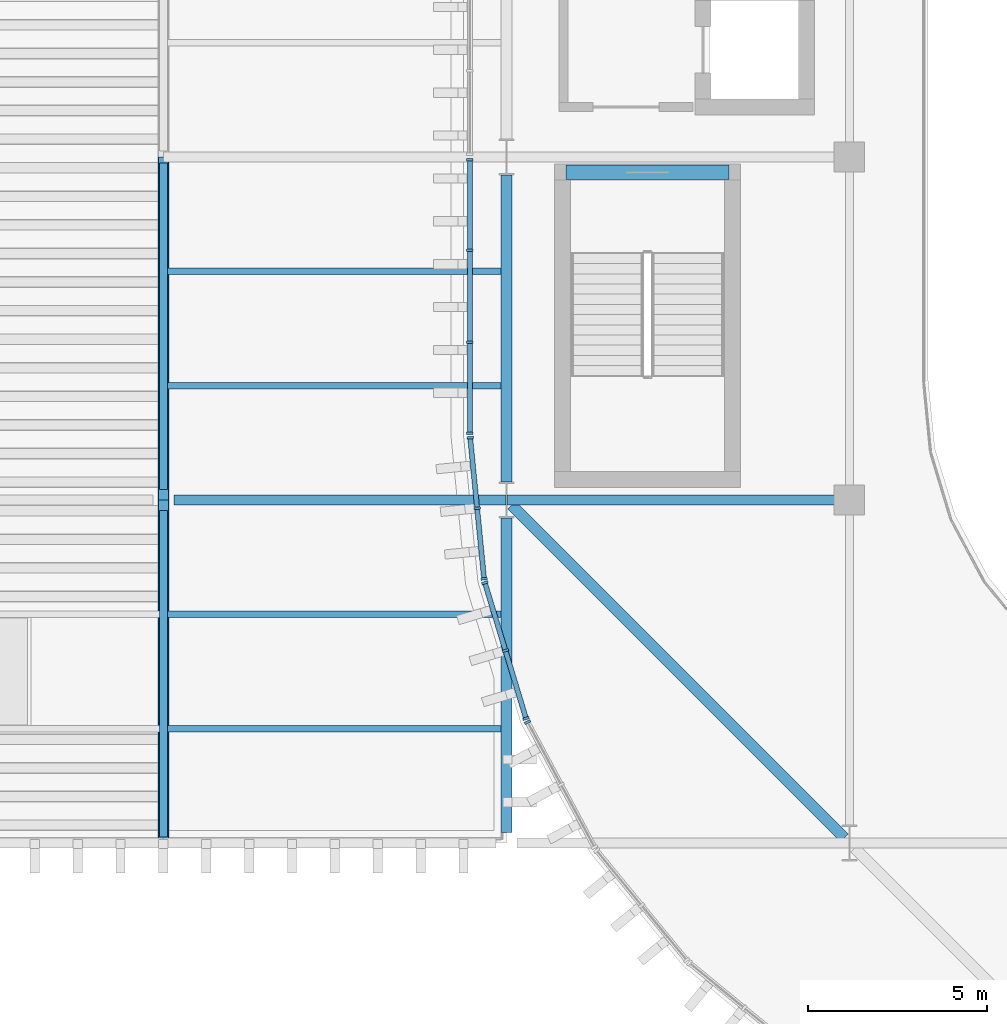
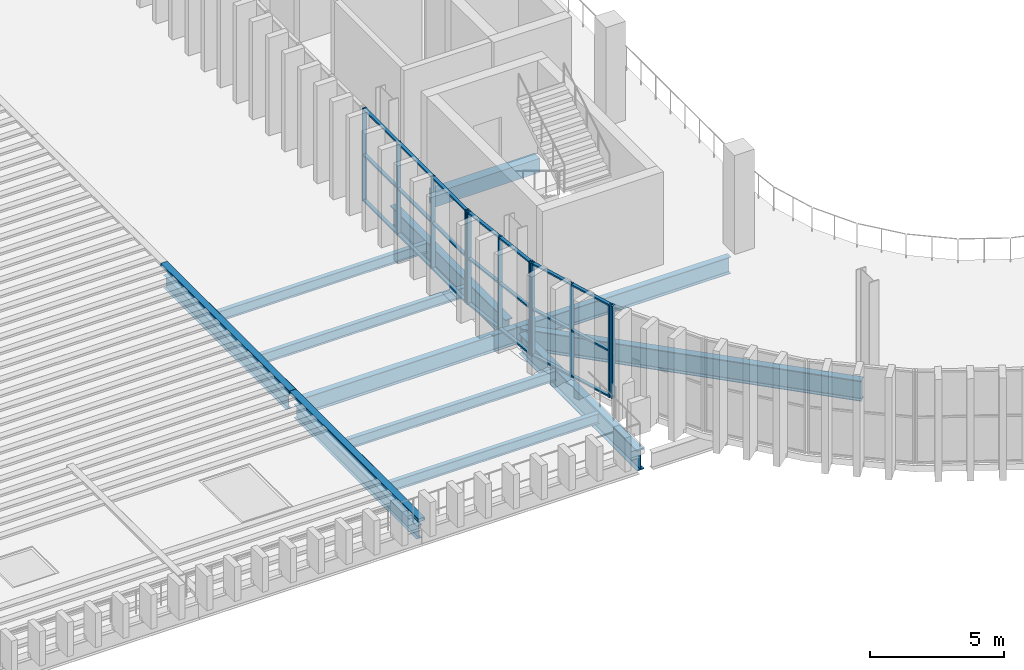
# One storey, part 9 of 92: 34 members, 12 beams, 4 elements without a shape of their own.
"""IFC4 building model written with IfcOpenShell, lengths in metres."""

from ifc_helpers import new_model, si_unit, direction, frame, origin, origin_2d, place, context, subcontext, project, spatial, rectangle, hollow_rectangle, i_section, extrude, material, layer, layer_set, material_profile, profile_set, type_object, element, aggregate, save


model = new_model("IFC4")

# Units and contexts
model_context = context("Model", 3, precision=1e-05, world=origin(), true_north=direction((0.0, 1.0)))
body_context = subcontext(model_context, "Body", "Model", "MODEL_VIEW")
ifc_project = project(units=[si_unit("LENGTHUNIT", "METRE"), si_unit("AREAUNIT", "SQUARE_METRE"), si_unit("VOLUMEUNIT", "CUBIC_METRE"), si_unit("PLANEANGLEUNIT", "RADIAN"), si_unit("MASSUNIT", "GRAM", prefix="KILO")], contexts=[model_context])

# Site, building, storey
site_placement = place(None, origin())
site = spatial("IfcSite", under=ifc_project, at=site_placement, CompositionType="ELEMENT")
building_placement = place(site_placement, origin())
building = spatial("IfcBuilding", under=site, at=building_placement, Name="Caelomonte Colonnade Arena", CompositionType="ELEMENT")
storey_placement = place(building_placement, frame((0.0, 0.0, 9.60009765625)))
storey = spatial("IfcBuildingStorey", under=building, at=storey_placement, Name="L02", CompositionType="ELEMENT", Elevation=9.60009765625)

# Curtain wall, members
ifc_material_1 = material(Name="Bronze anodised aluminium and low-E glazing", Category="aluminium")
ifc_layer_1 = layer(ifc_material_1, 0.179931640625)
ifc_layer_set_1 = layer_set([ifc_layer_1], Name="Bronze anodised aluminium and low-E glazing")
curtain_wall_type_1 = type_object("IfcCurtainWallType", Name="ENV-CW-CW-L02-79-42", PredefinedType="USERDEFINED", material=ifc_layer_set_1)
curtain_wall_1_placement = place(storey_placement, origin())
curtain_wall_1 = element("IfcCurtainWall", 1, at=curtain_wall_1_placement, inside=storey, type_object=curtain_wall_type_1, Name="L02 unitized curtain wall CW-L02-0566-0440", ObjectType="UNITIZED CURTAIN WALL", PredefinedType="USERDEFINED")
ifc_material_2 = material(Name="Bronze anodised aluminium AA6063-T6", Category="aluminium")
ifc_material_profile_1 = material_profile(ifc_material_2, rectangle(XDim=0.070068359375, YDim=0.179931640625, at=origin_2d()), Name="CWM-70X180")
ifc_profile_set_1 = profile_set([ifc_material_profile_1], Name="Bronze anodised aluminium AA6063-T6")
member_type_1 = type_object("IfcMemberType", Name="ENV-CW-MULL1", PredefinedType="MULLION", material=ifc_profile_set_1)
member_1_placement = place(storey_placement, frame((56.580078125, 47.925048828125, 0.0), z_axis=(0.0, 0.0, 1.0), x_axis=(0.0, -1.0, 0.0)))
member_1 = element("IfcMember", 2, at=member_1_placement, type_object=member_type_1, Name="CW-L02-79-42 mullion 1", PredefinedType="MULLION", context=body_context, shape_type="SweptSolid", body=[
    extrude(rectangle(XDim=0.070068359375, YDim=0.179931640625, at=origin_2d()), origin(), (0.0, 0.0, 1.0), 4.219970703125),
])
member_2_placement = place(storey_placement, frame((56.580078125, 45.38671875, 0.0), z_axis=(0.0, 0.0, 1.0), x_axis=(0.0, -1.0, 0.0)))
member_2 = element("IfcMember", 3, at=member_2_placement, type_object=member_type_1, Name="CW-L02-79-42 mullion 2", PredefinedType="MULLION", context=body_context, shape_type="SweptSolid", body=[
    extrude(rectangle(XDim=0.070068359375, YDim=0.179931640625, at=origin_2d()), origin(), (0.0, 0.0, 1.0), 4.219970703125),
])
member_3_placement = place(storey_placement, frame((56.580078125, 42.813232421875, 0.0), z_axis=(0.0, 0.0, 1.0), x_axis=(0.0, -1.0, 0.0)))
member_3 = element("IfcMember", 4, at=member_3_placement, type_object=member_type_1, Name="CW-L02-79-42 mullion 3", PredefinedType="MULLION", context=body_context, shape_type="SweptSolid", body=[
    extrude(rectangle(XDim=0.070068359375, YDim=0.179931640625, at=origin_2d()), origin(), (0.0, 0.0, 1.0), 4.219970703125),
])
member_4_placement = place(storey_placement, frame((56.580078125, 40.27490234375, 0.0), z_axis=(0.0, 0.0, 1.0), x_axis=(0.0, -1.0, 0.0)))
member_4 = element("IfcMember", 5, at=member_4_placement, type_object=member_type_1, Name="CW-L02-79-42 mullion 4", PredefinedType="MULLION", context=body_context, shape_type="SweptSolid", body=[
    extrude(rectangle(XDim=0.070068359375, YDim=0.179931640625, at=origin_2d()), origin(), (0.0, 0.0, 1.0), 4.219970703125),
])

ifc_layer_2 = layer(ifc_material_1, 0.179931640625)
ifc_layer_set_2 = layer_set([ifc_layer_2], Name="Bronze anodised aluminium and low-E glazing")
curtain_wall_type_2 = type_object("IfcCurtainWallType", Name="ENV-CW-CW-L02-44-42", PredefinedType="USERDEFINED", material=ifc_layer_set_2)
curtain_wall_2_placement = place(storey_placement, origin())
curtain_wall_2 = element("IfcCurtainWall", 6, at=curtain_wall_2_placement, inside=storey, type_object=curtain_wall_type_2, Name="L02 unitized curtain wall CW-L02-0568-0382", ObjectType="UNITIZED CURTAIN WALL", PredefinedType="USERDEFINED")
member_5_placement = place(storey_placement, frame((56.58642578125, 40.14306640625, 0.0), z_axis=(0.0, 0.0, 1.0), x_axis=(0.098002498041, -0.995186168703, 0.0)))
member_5 = element("IfcMember", 7, at=member_5_placement, type_object=member_type_1, Name="CW-L02-44-42 mullion 1", PredefinedType="MULLION", context=body_context, shape_type="SweptSolid", body=[
    extrude(rectangle(XDim=0.070068359375, YDim=0.179931640625, at=origin_2d()), origin(), (0.0, 0.0, 1.0), 4.219970703125),
])
member_6_placement = place(storey_placement, frame((56.781005859375, 38.169189453125, 0.0), z_axis=(0.0, 0.0, 1.0), x_axis=(0.098002498041, -0.995186168703, 0.0)))
member_6 = element("IfcMember", 8, at=member_6_placement, type_object=member_type_1, Name="CW-L02-44-42 mullion 2", PredefinedType="MULLION", context=body_context, shape_type="SweptSolid", body=[
    extrude(rectangle(XDim=0.070068359375, YDim=0.179931640625, at=origin_2d()), origin(), (0.0, 0.0, 1.0), 4.219970703125),
])
member_7_placement = place(storey_placement, frame((56.975341796875, 36.1953125, 0.0), z_axis=(0.0, 0.0, 1.0), x_axis=(0.098002498041, -0.995186168703, 0.0)))
member_7 = element("IfcMember", 9, at=member_7_placement, type_object=member_type_1, Name="CW-L02-44-42 mullion 3", PredefinedType="MULLION", context=body_context, shape_type="SweptSolid", body=[
    extrude(rectangle(XDim=0.070068359375, YDim=0.179931640625, at=origin_2d()), origin(), (0.0, 0.0, 1.0), 4.219970703125),
])

curtain_wall_3_placement = place(storey_placement, origin())
curtain_wall_3 = element("IfcCurtainWall", 10, at=curtain_wall_3_placement, inside=storey, type_object=curtain_wall_type_2, Name="L02 unitized curtain wall CW-L02-0576-0342", ObjectType="UNITIZED CURTAIN WALL", PredefinedType="USERDEFINED")
member_8_placement = place(storey_placement, frame((56.99755859375, 36.08349609375, 0.0), z_axis=(0.0, 0.0, 1.0), x_axis=(0.290255582655, -0.956949160999, 0.0)))
member_8 = element("IfcMember", 11, at=member_8_placement, type_object=member_type_1, Name="CW-L02-44-42 mullion 1", PredefinedType="MULLION", context=body_context, shape_type="SweptSolid", body=[
    extrude(rectangle(XDim=0.070068359375, YDim=0.179931640625, at=origin_2d()), origin(), (0.0, 0.0, 1.0), 4.219970703125),
])
member_9_placement = place(storey_placement, frame((57.5732421875, 34.185546875, 0.0), z_axis=(0.0, 0.0, 1.0), x_axis=(0.290255582655, -0.956949160999, 0.0)))
member_9 = element("IfcMember", 12, at=member_9_placement, type_object=member_type_1, Name="CW-L02-44-42 mullion 2", PredefinedType="MULLION", context=body_context, shape_type="SweptSolid", body=[
    extrude(rectangle(XDim=0.070068359375, YDim=0.179931640625, at=origin_2d()), origin(), (0.0, 0.0, 1.0), 4.219970703125),
])
member_10_placement = place(storey_placement, frame((58.14892578125, 32.28759765625, 0.0), z_axis=(0.0, 0.0, 1.0), x_axis=(0.290255582655, -0.956949160999, 0.0)))
member_10 = element("IfcMember", 13, at=member_10_placement, type_object=member_type_1, Name="CW-L02-44-42 mullion 3", PredefinedType="MULLION", context=body_context, shape_type="SweptSolid", body=[
    extrude(rectangle(XDim=0.070068359375, YDim=0.179931640625, at=origin_2d()), origin(), (0.0, 0.0, 1.0), 4.219970703125),
])

# Curtain wall, member
curtain_wall_4_placement = place(storey_placement, origin())
curtain_wall_4 = element("IfcCurtainWall", 14, at=curtain_wall_4_placement, inside=storey, type_object=curtain_wall_type_2, Name="L02 unitized curtain wall CW-L02-0591-0304", ObjectType="UNITIZED CURTAIN WALL", PredefinedType="USERDEFINED")
member_11_placement = place(storey_placement, frame((58.192626953125, 32.182373046875, 0.0), z_axis=(0.0, 0.0, 1.0), x_axis=(0.471394212466, -0.881922613642, 0.0)))
member_11 = element("IfcMember", 15, at=member_11_placement, type_object=member_type_1, Name="CW-L02-44-42 mullion 1", PredefinedType="MULLION", context=body_context, shape_type="SweptSolid", body=[
    extrude(rectangle(XDim=0.070068359375, YDim=0.179931640625, at=origin_2d()), origin(), (0.0, 0.0, 1.0), 4.219970703125),
])
aggregate(curtain_wall_4, [member_11])

# Member
ifc_material_profile_2 = material_profile(ifc_material_2, rectangle(XDim=0.070068359375, YDim=0.139892578125, at=origin_2d()), Name="CWT-70X140")
ifc_profile_set_2 = profile_set([ifc_material_profile_2], Name="Bronze anodised aluminium AA6063-T6")
member_type_2 = type_object("IfcMemberType", Name="ENV-CW-TRAN1", PredefinedType="USERDEFINED", material=ifc_profile_set_2)
member_12_placement = place(storey_placement, frame((56.580078125, 47.889892578125, 0.034912109375), z_axis=(0.0, -1.0, 0.0), x_axis=(0.0, 0.0, 1.0)))
member_12 = element("IfcMember", 16, at=member_12_placement, type_object=member_type_2, Name="CW-L02-79-42 transom 1.1", ObjectType="TRANSOM", PredefinedType="USERDEFINED", context=body_context, shape_type="SweptSolid", body=[
    extrude(rectangle(XDim=0.070068359375, YDim=0.139892578125, at=origin_2d()), origin(), (0.0, 0.0, 1.0), 2.46826171875),
])

member_13_placement = place(storey_placement, frame((56.580078125, 47.889892578125, 2.10986328125), z_axis=(0.0, -1.0, 0.0), x_axis=(0.0, 0.0, 1.0)))
member_13 = element("IfcMember", 17, at=member_13_placement, type_object=member_type_2, Name="CW-L02-79-42 transom 1.2", ObjectType="TRANSOM", PredefinedType="USERDEFINED", context=body_context, shape_type="SweptSolid", body=[
    extrude(rectangle(XDim=0.070068359375, YDim=0.139892578125, at=origin_2d()), origin(), (0.0, 0.0, 1.0), 2.46826171875),
])

member_14_placement = place(storey_placement, frame((56.580078125, 47.889892578125, 4.184814453125), z_axis=(0.0, -1.0, 0.0), x_axis=(0.0, 0.0, 1.0)))
member_14 = element("IfcMember", 18, at=member_14_placement, type_object=member_type_2, Name="CW-L02-79-42 transom 1.3", ObjectType="TRANSOM", PredefinedType="USERDEFINED", context=body_context, shape_type="SweptSolid", body=[
    extrude(rectangle(XDim=0.070068359375, YDim=0.139892578125, at=origin_2d()), origin(), (0.0, 0.0, 1.0), 2.46826171875),
])

member_15_placement = place(storey_placement, frame((56.580078125, 45.3515625, 0.034912109375), z_axis=(0.0, -1.0, 0.0), x_axis=(0.0, 0.0, 1.0)))
member_15 = element("IfcMember", 19, at=member_15_placement, type_object=member_type_2, Name="CW-L02-79-42 transom 2.1", ObjectType="TRANSOM", PredefinedType="USERDEFINED", context=body_context, shape_type="SweptSolid", body=[
    extrude(rectangle(XDim=0.070068359375, YDim=0.139892578125, at=origin_2d()), origin(), (0.0, 0.0, 1.0), 2.503173828125),
])

member_16_placement = place(storey_placement, frame((56.580078125, 45.3515625, 2.10986328125), z_axis=(0.0, -1.0, 0.0), x_axis=(0.0, 0.0, 1.0)))
member_16 = element("IfcMember", 20, at=member_16_placement, type_object=member_type_2, Name="CW-L02-79-42 transom 2.2", ObjectType="TRANSOM", PredefinedType="USERDEFINED", context=body_context, shape_type="SweptSolid", body=[
    extrude(rectangle(XDim=0.070068359375, YDim=0.139892578125, at=origin_2d()), origin(), (0.0, 0.0, 1.0), 2.503173828125),
])

member_17_placement = place(storey_placement, frame((56.580078125, 45.3515625, 4.184814453125), z_axis=(0.0, -1.0, 0.0), x_axis=(0.0, 0.0, 1.0)))
member_17 = element("IfcMember", 21, at=member_17_placement, type_object=member_type_2, Name="CW-L02-79-42 transom 2.3", ObjectType="TRANSOM", PredefinedType="USERDEFINED", context=body_context, shape_type="SweptSolid", body=[
    extrude(rectangle(XDim=0.070068359375, YDim=0.139892578125, at=origin_2d()), origin(), (0.0, 0.0, 1.0), 2.503173828125),
])

member_18_placement = place(storey_placement, frame((56.580078125, 42.7783203125, 0.034912109375), z_axis=(0.0, -1.0, 0.0), x_axis=(0.0, 0.0, 1.0)))
member_18 = element("IfcMember", 22, at=member_18_placement, type_object=member_type_2, Name="CW-L02-79-42 transom 3.1", ObjectType="TRANSOM", PredefinedType="USERDEFINED", context=body_context, shape_type="SweptSolid", body=[
    extrude(rectangle(XDim=0.070068359375, YDim=0.139892578125, at=origin_2d()), origin(), (0.0, 0.0, 1.0), 2.46826171875),
])

member_19_placement = place(storey_placement, frame((56.580078125, 42.7783203125, 2.10986328125), z_axis=(0.0, -1.0, 0.0), x_axis=(0.0, 0.0, 1.0)))
member_19 = element("IfcMember", 23, at=member_19_placement, type_object=member_type_2, Name="CW-L02-79-42 transom 3.2", ObjectType="TRANSOM", PredefinedType="USERDEFINED", context=body_context, shape_type="SweptSolid", body=[
    extrude(rectangle(XDim=0.070068359375, YDim=0.139892578125, at=origin_2d()), origin(), (0.0, 0.0, 1.0), 2.46826171875),
])

member_20_placement = place(storey_placement, frame((56.580078125, 42.7783203125, 4.184814453125), z_axis=(0.0, -1.0, 0.0), x_axis=(0.0, 0.0, 1.0)))
member_20 = element("IfcMember", 24, at=member_20_placement, type_object=member_type_2, Name="CW-L02-79-42 transom 3.3", ObjectType="TRANSOM", PredefinedType="USERDEFINED", context=body_context, shape_type="SweptSolid", body=[
    extrude(rectangle(XDim=0.070068359375, YDim=0.139892578125, at=origin_2d()), origin(), (0.0, 0.0, 1.0), 2.46826171875),
])

aggregate(curtain_wall_1, [member_1, member_2, member_3, member_4, member_12, member_13, member_14, member_15, member_16, member_17, member_18, member_19, member_20])

member_21_placement = place(storey_placement, frame((56.58984375, 40.108154296875, 0.034912109375), z_axis=(0.098126524604, -0.995173947192, 0.0), x_axis=(0.0, 0.0, 1.0)))
member_21 = element("IfcMember", 25, at=member_21_placement, type_object=member_type_2, Name="CW-L02-44-42 transom 1.1", ObjectType="TRANSOM", PredefinedType="USERDEFINED", context=body_context, shape_type="SweptSolid", body=[
    extrude(rectangle(XDim=0.070068359375, YDim=0.139892578125, at=origin_2d()), origin(), (0.0, 0.0, 1.0), 1.913330078125),
])

member_22_placement = place(storey_placement, frame((56.58984375, 40.108154296875, 2.10986328125), z_axis=(0.098126524604, -0.995173947192, 0.0), x_axis=(0.0, 0.0, 1.0)))
member_22 = element("IfcMember", 26, at=member_22_placement, type_object=member_type_2, Name="CW-L02-44-42 transom 1.2", ObjectType="TRANSOM", PredefinedType="USERDEFINED", context=body_context, shape_type="SweptSolid", body=[
    extrude(rectangle(XDim=0.070068359375, YDim=0.139892578125, at=origin_2d()), origin(), (0.0, 0.0, 1.0), 1.913330078125),
])

member_23_placement = place(storey_placement, frame((56.58984375, 40.108154296875, 4.184814453125), z_axis=(0.098126524604, -0.995173947192, 0.0), x_axis=(0.0, 0.0, 1.0)))
member_23 = element("IfcMember", 27, at=member_23_placement, type_object=member_type_2, Name="CW-L02-44-42 transom 1.3", ObjectType="TRANSOM", PredefinedType="USERDEFINED", context=body_context, shape_type="SweptSolid", body=[
    extrude(rectangle(XDim=0.070068359375, YDim=0.139892578125, at=origin_2d()), origin(), (0.0, 0.0, 1.0), 1.913330078125),
])

member_24_placement = place(storey_placement, frame((56.784423828125, 38.13427734375, 0.034912109375), z_axis=(0.098000148132, -0.995186400111, 0.0), x_axis=(0.0, 0.0, 1.0)))
member_24 = element("IfcMember", 28, at=member_24_placement, type_object=member_type_2, Name="CW-L02-44-42 transom 2.1", ObjectType="TRANSOM", PredefinedType="USERDEFINED", context=body_context, shape_type="SweptSolid", body=[
    extrude(rectangle(XDim=0.070068359375, YDim=0.139892578125, at=origin_2d()), origin(), (0.0, 0.0, 1.0), 1.913330078125),
])

member_25_placement = place(storey_placement, frame((56.784423828125, 38.13427734375, 2.10986328125), z_axis=(0.098000148132, -0.995186400111, 0.0), x_axis=(0.0, 0.0, 1.0)))
member_25 = element("IfcMember", 29, at=member_25_placement, type_object=member_type_2, Name="CW-L02-44-42 transom 2.2", ObjectType="TRANSOM", PredefinedType="USERDEFINED", context=body_context, shape_type="SweptSolid", body=[
    extrude(rectangle(XDim=0.070068359375, YDim=0.139892578125, at=origin_2d()), origin(), (0.0, 0.0, 1.0), 1.913330078125),
])

member_26_placement = place(storey_placement, frame((56.784423828125, 38.13427734375, 4.184814453125), z_axis=(0.098000148132, -0.995186400111, 0.0), x_axis=(0.0, 0.0, 1.0)))
member_26 = element("IfcMember", 30, at=member_26_placement, type_object=member_type_2, Name="CW-L02-44-42 transom 2.3", ObjectType="TRANSOM", PredefinedType="USERDEFINED", context=body_context, shape_type="SweptSolid", body=[
    extrude(rectangle(XDim=0.070068359375, YDim=0.139892578125, at=origin_2d()), origin(), (0.0, 0.0, 1.0), 1.913330078125),
])

aggregate(curtain_wall_2, [member_5, member_6, member_7, member_21, member_22, member_23, member_24, member_25, member_26])

member_27_placement = place(storey_placement, frame((57.0078125, 36.050048828125, 0.034912109375), z_axis=(0.29015613003, -0.956979320678, 0.0), x_axis=(0.0, 0.0, 1.0)))
member_27 = element("IfcMember", 31, at=member_27_placement, type_object=member_type_2, Name="CW-L02-44-42 transom 1.1", ObjectType="TRANSOM", PredefinedType="USERDEFINED", context=body_context, shape_type="SweptSolid", body=[
    extrude(rectangle(XDim=0.070068359375, YDim=0.139892578125, at=origin_2d()), origin(), (0.0, 0.0, 1.0), 1.913330078125),
])

member_28_placement = place(storey_placement, frame((57.0078125, 36.050048828125, 2.10986328125), z_axis=(0.29015613003, -0.956979320678, 0.0), x_axis=(0.0, 0.0, 1.0)))
member_28 = element("IfcMember", 32, at=member_28_placement, type_object=member_type_2, Name="CW-L02-44-42 transom 1.2", ObjectType="TRANSOM", PredefinedType="USERDEFINED", context=body_context, shape_type="SweptSolid", body=[
    extrude(rectangle(XDim=0.070068359375, YDim=0.139892578125, at=origin_2d()), origin(), (0.0, 0.0, 1.0), 1.913330078125),
])

member_29_placement = place(storey_placement, frame((57.0078125, 36.050048828125, 4.184814453125), z_axis=(0.29015613003, -0.956979320678, 0.0), x_axis=(0.0, 0.0, 1.0)))
member_29 = element("IfcMember", 33, at=member_29_placement, type_object=member_type_2, Name="CW-L02-44-42 transom 1.3", ObjectType="TRANSOM", PredefinedType="USERDEFINED", context=body_context, shape_type="SweptSolid", body=[
    extrude(rectangle(XDim=0.070068359375, YDim=0.139892578125, at=origin_2d()), origin(), (0.0, 0.0, 1.0), 1.913330078125),
])

member_30_placement = place(storey_placement, frame((57.58349609375, 34.152099609375, 0.034912109375), z_axis=(0.29015613003, -0.956979320678, 0.0), x_axis=(0.0, 0.0, 1.0)))
member_30 = element("IfcMember", 34, at=member_30_placement, type_object=member_type_2, Name="CW-L02-44-42 transom 2.1", ObjectType="TRANSOM", PredefinedType="USERDEFINED", context=body_context, shape_type="SweptSolid", body=[
    extrude(rectangle(XDim=0.070068359375, YDim=0.139892578125, at=origin_2d()), origin(), (0.0, 0.0, 1.0), 1.913330078125),
])

member_31_placement = place(storey_placement, frame((57.58349609375, 34.152099609375, 2.10986328125), z_axis=(0.29015613003, -0.956979320678, 0.0), x_axis=(0.0, 0.0, 1.0)))
member_31 = element("IfcMember", 35, at=member_31_placement, type_object=member_type_2, Name="CW-L02-44-42 transom 2.2", ObjectType="TRANSOM", PredefinedType="USERDEFINED", context=body_context, shape_type="SweptSolid", body=[
    extrude(rectangle(XDim=0.070068359375, YDim=0.139892578125, at=origin_2d()), origin(), (0.0, 0.0, 1.0), 1.913330078125),
])

member_32_placement = place(storey_placement, frame((57.58349609375, 34.152099609375, 4.184814453125), z_axis=(0.29015613003, -0.956979320678, 0.0), x_axis=(0.0, 0.0, 1.0)))
member_32 = element("IfcMember", 36, at=member_32_placement, type_object=member_type_2, Name="CW-L02-44-42 transom 2.3", ObjectType="TRANSOM", PredefinedType="USERDEFINED", context=body_context, shape_type="SweptSolid", body=[
    extrude(rectangle(XDim=0.070068359375, YDim=0.139892578125, at=origin_2d()), origin(), (0.0, 0.0, 1.0), 1.913330078125),
])

aggregate(curtain_wall_3, [member_8, member_9, member_10, member_27, member_28, member_29, member_30, member_31, member_32])

# Beams
ifc_material_3 = material(Name="Wide-flange steel ASTM A992 Grade 50", Category="steel")
ifc_material_profile_3 = material_profile(ifc_material_3, i_section(OverallWidth=0.307861328125, OverallDepth=0.927001953125, WebThickness=0.019287109375, FlangeThickness=0.031982421875, FilletRadius=0.020263671875, at=origin_2d()), Name="W36X194")
ifc_profile_set_3 = profile_set([ifc_material_profile_3], Name="Wide-flange steel ASTM A992 Grade 50")
beam_type_1 = type_object("IfcBeamType", Name="STR-BM-EAVES2", PredefinedType="SPANDREL", material=ifc_profile_set_3)
beam_1_placement = place(storey_placement, frame((57.60009765625, 29.092041015625, -0.74365234375), z_axis=(0.0, 1.0, 0.0), x_axis=(-1.0, 0.0, 0.0)))
element("IfcBeam", 37, at=beam_1_placement, inside=storey, type_object=beam_type_1, Name="L02 girder BMY-L02-0576-0288", PredefinedType="SPANDREL", context=body_context, shape_type="SweptSolid", body=[
    extrude(i_section(OverallWidth=0.307861328125, OverallDepth=0.927001953125, WebThickness=0.019287109375, FlangeThickness=0.031982421875, FilletRadius=0.020263671875, at=origin_2d()), origin(), (0.0, 0.0, 1.0), 8.810546875),
])
beam_2_placement = place(storey_placement, frame((57.60009765625, 38.8974609375, -0.74365234375), z_axis=(0.0, 1.0, 0.0), x_axis=(-1.0, 0.0, 0.0)))
element("IfcBeam", 38, at=beam_2_placement, inside=storey, type_object=beam_type_1, Name="L02 girder BMY-L02-0576-0384", PredefinedType="SPANDREL", context=body_context, shape_type="SweptSolid", body=[
    extrude(i_section(OverallWidth=0.307861328125, OverallDepth=0.927001953125, WebThickness=0.019287109375, FlangeThickness=0.031982421875, FilletRadius=0.020263671875, at=origin_2d()), origin(), (0.0, 0.0, 1.0), 8.60498046875),
])
beam_3_placement = place(storey_placement, frame((57.742431640625, 38.257568359375, -0.74365234375), z_axis=(0.707106781187, -0.707106781187, 0.0), x_axis=(0.707106781187, 0.707106781187, 0.0)))
element("IfcBeam", 39, at=beam_3_placement, inside=storey, type_object=beam_type_1, Name="L02 drum corner ring girder 1", PredefinedType="SPANDREL", context=body_context, shape_type="SweptSolid", body=[
    extrude(i_section(OverallWidth=0.307861328125, OverallDepth=0.927001953125, WebThickness=0.019287109375, FlangeThickness=0.031982421875, FilletRadius=0.020263671875, at=origin_2d()), origin(), (0.0, 0.0, 1.0), 13.173583984375),
])
ifc_material_profile_4 = material_profile(ifc_material_3, i_section(OverallWidth=0.228271484375, OverallDepth=0.607177734375, WebThickness=0.01123046875, FlangeThickness=0.017333984375, FilletRadius=0.0126953125, at=origin_2d()), Name="W24X76")
ifc_profile_set_4 = profile_set([ifc_material_profile_4], Name="Wide-flange steel ASTM A992 Grade 50")
beam_type_2 = type_object("IfcBeamType", Name="STR-BM-GIRD24", PredefinedType="BEAM", material=ifc_profile_set_4)
beam_4_placement = place(storey_placement, frame((48.0, 28.97021484375, -0.58349609375), z_axis=(0.0, 1.0, 0.0), x_axis=(-1.0, 0.0, 0.0)))
element("IfcBeam", 40, at=beam_4_placement, inside=storey, type_object=beam_type_2, Name="L02 girder BMY-L02-0480-0288", PredefinedType="BEAM", context=body_context, shape_type="SweptSolid", body=[
    extrude(i_section(OverallWidth=0.228271484375, OverallDepth=0.607177734375, WebThickness=0.01123046875, FlangeThickness=0.017333984375, FilletRadius=0.0126953125, at=origin_2d()), origin(), (0.0, 0.0, 1.0), 9.1376953125),
])
beam_5_placement = place(storey_placement, frame((48.0, 38.69189453125, -0.58349609375), z_axis=(0.0, 1.0, 0.0), x_axis=(-1.0, 0.0, 0.0)))
element("IfcBeam", 41, at=beam_5_placement, inside=storey, type_object=beam_type_2, Name="L02 girder BMY-L02-0480-0384", PredefinedType="BEAM", context=body_context, shape_type="SweptSolid", body=[
    extrude(i_section(OverallWidth=0.228271484375, OverallDepth=0.607177734375, WebThickness=0.01123046875, FlangeThickness=0.017333984375, FilletRadius=0.0126953125, at=origin_2d()), origin(), (0.0, 0.0, 1.0), 9.137939453125),
])
ifc_material_profile_5 = material_profile(ifc_material_3, i_section(OverallWidth=0.2666015625, OverallDepth=0.761962890625, WebThickness=0.014404296875, FlangeThickness=0.021484375, FilletRadius=0.0166015625, at=origin_2d()), Name="W30X116")
ifc_profile_set_5 = profile_set([ifc_material_profile_5], Name="Wide-flange steel ASTM A992 Grade 50")
beam_type_3 = type_object("IfcBeamType", Name="STR-BM-GIRD30", PredefinedType="BEAM", material=ifc_profile_set_5)
beam_6_placement = place(storey_placement, frame((48.2919921875, 38.39990234375, -0.6611328125), z_axis=(1.0, 0.0, 0.0), x_axis=(0.0, 1.0, 0.0)))
element("IfcBeam", 42, at=beam_6_placement, inside=storey, type_object=beam_type_3, Name="L02 girder BMX-L02-0480-0384", PredefinedType="BEAM", context=body_context, shape_type="SweptSolid", body=[
    extrude(i_section(OverallWidth=0.2666015625, OverallDepth=0.761962890625, WebThickness=0.014404296875, FlangeThickness=0.021484375, FilletRadius=0.0166015625, at=origin_2d()), origin(), (0.0, 0.0, 1.0), 9.296142578125),
])
beam_7_placement = place(storey_placement, frame((57.61181640625, 38.39990234375, -0.6611328125), z_axis=(1.0, 0.0, 0.0), x_axis=(0.0, 1.0, 0.0)))
element("IfcBeam", 43, at=beam_7_placement, inside=storey, type_object=beam_type_3, Name="L02 girder BMX-L02-0576-0384", PredefinedType="BEAM", context=body_context, shape_type="SweptSolid", body=[
    extrude(i_section(OverallWidth=0.2666015625, OverallDepth=0.761962890625, WebThickness=0.014404296875, FlangeThickness=0.021484375, FilletRadius=0.0166015625, at=origin_2d()), origin(), (0.0, 0.0, 1.0), 9.171142578125),
])
ifc_material_profile_6 = material_profile(ifc_material_3, i_section(OverallWidth=0.1904296875, OverallDepth=0.457275390625, WebThickness=0.009033203125, FlangeThickness=0.014404296875, FilletRadius=0.01025390625, at=origin_2d()), Name="W18X50")
ifc_profile_set_6 = profile_set([ifc_material_profile_6], Name="Wide-flange steel ASTM A992 Grade 50")
beam_type_4 = type_object("IfcBeamType", Name="STR-BM-JOIST18", PredefinedType="JOIST", material=ifc_profile_set_6)
for number, where, z_axis, x_axis, name in (
    (44, (48.109130859375, 32.0, -0.5087890625), (1.0, 0.0, 0.0), (0.0, 1.0, 0.0), "L02 secondary joist 1"),
    (45, (48.109130859375, 35.199951171875, -0.5087890625), (1.0, 0.0, 0.0), (0.0, 1.0, 0.0), "L02 secondary joist 2"),
    (46, (48.109130859375, 41.60009765625, -0.5087890625), (1.0, 0.0, 0.0), (0.0, 1.0, 0.0), "L02 secondary joist 1"),
    (47, (48.109130859375, 44.800048828125, -0.5087890625), (1.0, 0.0, 0.0), (0.0, 1.0, 0.0), "L02 secondary joist 2"),
):
    element("IfcBeam", number, at=place(storey_placement, frame(where, z_axis=z_axis, x_axis=x_axis)), inside=storey, type_object=beam_type_4, Name=name, PredefinedType="JOIST", context=body_context, shape_type="SweptSolid", body=[
        extrude(i_section(OverallWidth=0.1904296875, OverallDepth=0.457275390625, WebThickness=0.009033203125, FlangeThickness=0.014404296875, FilletRadius=0.01025390625, at=origin_2d()), origin(), (0.0, 0.0, 1.0), 9.342041015625),
    ])
ifc_material_4 = material(Name="Concrete C40/50", Category="concrete")
ifc_material_profile_7 = material_profile(ifc_material_4, rectangle(XDim=0.39990234375, YDim=0.64990234375, at=origin_2d()), Name="RC400X650")
ifc_profile_set_7 = profile_set([ifc_material_profile_7], Name="Concrete C40/50")
beam_type_5 = type_object("IfcBeamType", Name="STR-BM-LINT40", PredefinedType="LINTEL", material=ifc_profile_set_7)
beam_8_placement = place(storey_placement, frame((59.27490234375, 47.574951171875, -0.60498046875), z_axis=(1.0, 0.0, 0.0), x_axis=(0.0, 1.0, 0.0)))
element("IfcBeam", 48, at=beam_8_placement, inside=storey, type_object=beam_type_5, Name="Core C1 L02 coupling lintel beam", PredefinedType="LINTEL", context=body_context, shape_type="SweptSolid", body=[
    extrude(rectangle(XDim=0.39990234375, YDim=0.64990234375, at=origin_2d()), origin(), (0.0, 0.0, 1.0), 4.550048828125),
])

# Members
ifc_material_5 = material(Name="Steel ASTM A500 Grade C", Category="steel")
ifc_material_profile_8 = material_profile(ifc_material_5, hollow_rectangle(XDim=0.300048828125, YDim=0.14990234375, WallThickness=0.008056640625, InnerFilletRadius=0.008056640625, OuterFilletRadius=0.01611328125, at=origin_2d()), Name="HSS300X150X8")
ifc_profile_set_8 = profile_set([ifc_material_profile_8], Name="Steel ASTM A500 Grade C")
member_type_3 = type_object("IfcMemberType", Name="STR-LW-PAR1", PredefinedType="STRUT", material=ifc_profile_set_8)
for number, where, z_axis, x_axis, name in (
    (49, (48.0, 28.803955078125, 0.074951171875), (0.0, 1.0, 0.0), (-1.0, 0.0, 0.0), "Planted lawn parterre planter header HDR-E1"),
    (50, (48.0, 38.404052734375, 0.074951171875), (0.0, 1.0, 0.0), (-1.0, 0.0, 0.0), "Planted lawn parterre planter header HDR-E2"),
):
    element("IfcMember", number, at=place(storey_placement, frame(where, z_axis=z_axis, x_axis=x_axis)), inside=storey, type_object=member_type_3, Name=name, PredefinedType="STRUT", context=body_context, shape_type="SweptSolid", body=[
        extrude(hollow_rectangle(XDim=0.300048828125, YDim=0.14990234375, WallThickness=0.008056640625, InnerFilletRadius=0.008056640625, OuterFilletRadius=0.01611328125, at=origin_2d()), origin(), (0.0, 0.0, 1.0), 9.592041015625),
    ])

save(model, "model.ifc")
